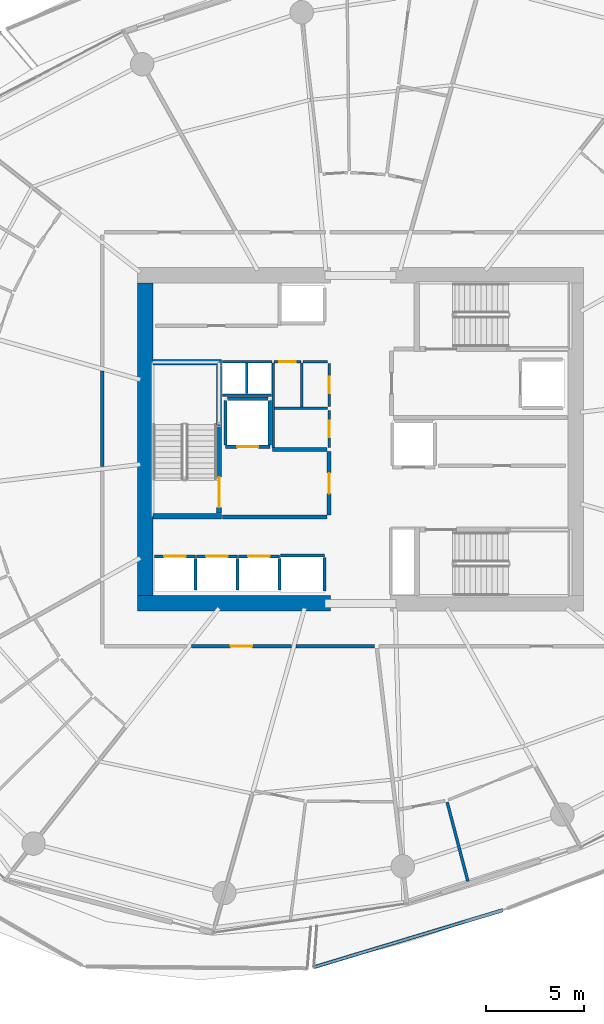
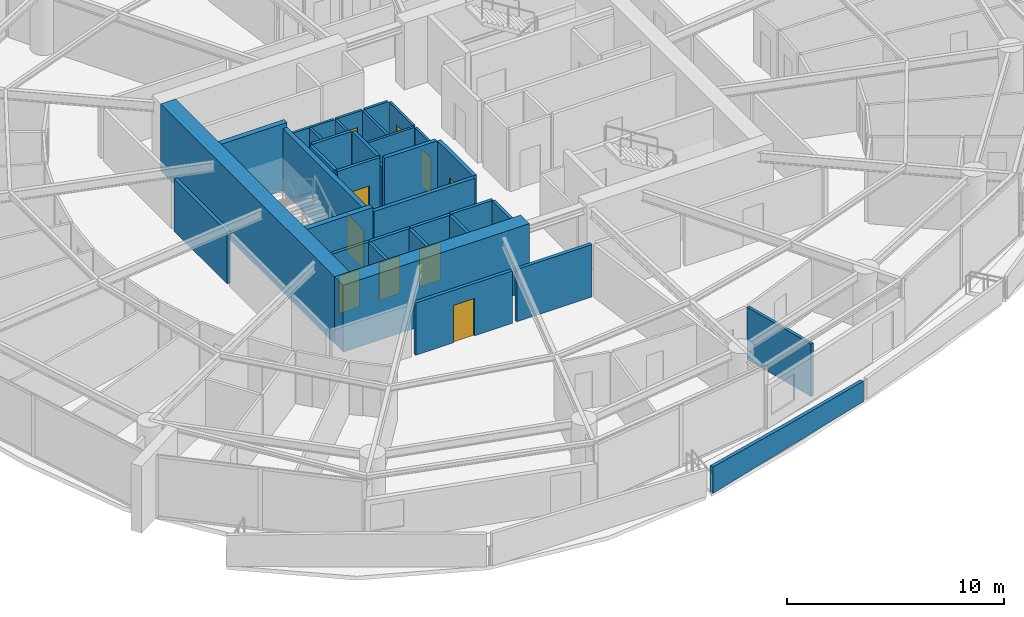
# One storey, part 12 of 23: 35 walls, 10 doors, 10 openings.
"""IFC4 building model written with IfcOpenShell, lengths in metres."""

from ifc_helpers import new_model, si_unit, direction, frame, frame_2d, origin, place, context, subcontext, project, spatial, polyline, rectangle, outline, extrude, material, layer, layer_set, type_object, element, fill, save


model = new_model("IFC4")

# Units and contexts
model_context = context("Model", 3, precision=1e-05, world=origin(), true_north=direction((0.0, 1.0)))
body_context = subcontext(model_context, "Body", "Model", "MODEL_VIEW")
ifc_project = project(units=[si_unit("LENGTHUNIT", "METRE"), si_unit("AREAUNIT", "SQUARE_METRE"), si_unit("VOLUMEUNIT", "CUBIC_METRE"), si_unit("PLANEANGLEUNIT", "RADIAN"), si_unit("MASSUNIT", "GRAM", prefix="KILO")], contexts=[model_context])

# Site, building, storey
site_placement = place(None, origin())
site = spatial("IfcSite", under=ifc_project, at=site_placement, CompositionType="ELEMENT")
building_placement = place(site_placement, origin())
building = spatial("IfcBuilding", under=site, at=building_placement, Name="Kazma Halo Residences", CompositionType="ELEMENT")
storey_placement = place(building_placement, frame((0.0, 0.0, 86.39990234375)))
storey = spatial("IfcBuildingStorey", under=building, at=storey_placement, Name="L21", CompositionType="ELEMENT", Elevation=86.39990234375)

# Walls
ifc_material_1 = material(Name="White Concrete C50/60 Balustrade", Category="concrete")
ifc_layer_1 = layer(ifc_material_1, 0.179931640625)
ifc_layer_set_1 = layer_set([ifc_layer_1], Name="White Concrete C50/60 Balustrade")
wall_type_1 = type_object("IfcWallType", Name="WL-BAL-WAVE-180", PredefinedType="PARAPET", material=ifc_layer_set_1)
wall_1_placement = place(storey_placement, frame((46.038330078125, 14.964111328125, 0.0), z_axis=(0.0, 0.0, 1.0), x_axis=(0.957356090971, 0.288910565886, 0.0)))
element("IfcWall", 1, at=wall_1_placement, inside=storey, type_object=wall_type_1, Name="L21 white wave balustrade wall SSE.1", PredefinedType="PARAPET", context=body_context, shape_type="SweptSolid", body=[
    extrude(outline(polyline([(0.0, 0.0), (10.1025390625, 0.0), (10.1025390625, 1.148193359375), (5.05126953125, 1.2841796875), (0.0, 1.483154296875), (0.0, 0.0)])), frame((0.0, 0.08984375, 0.0), z_axis=(0.0, -1.0, 0.0), x_axis=(1.0, 0.0, 0.0)), (0.0, 0.0, 1.0), 0.179931640625),
])
ifc_material_2 = material(Name="Concrete C80/95", Category="concrete")
ifc_layer_2 = layer(ifc_material_2, 0.800048828125)
ifc_layer_set_2 = layer_set([ifc_layer_2], Name="Concrete C80/95")
wall_type_2 = type_object("IfcWallType", Name="WL-CORE-800", PredefinedType="SHEAR", material=ifc_layer_set_2)
wall_2_placement = place(storey_placement, frame((37.0, 33.60009765625, 0.0), z_axis=(0.0, 0.0, 1.0), x_axis=(1.0, 0.0, 0.0)))
element("IfcWall", 2, at=wall_2_placement, inside=storey, type_object=wall_type_2, Name="L21 central core shear wall SW", PredefinedType="SHEAR", context=body_context, shape_type="SweptSolid", body=[
    extrude(rectangle(XDim=9.89990234375, YDim=0.800048828125, at=frame_2d((4.949951171875, 0.0))), origin(), (0.0, 0.0, 1.0), 3.75),
])
wall_3_placement = place(storey_placement, frame((37.39990234375, 34.0, 0.0), z_axis=(0.0, 0.0, 1.0), x_axis=(0.0, 1.0, 0.0)))
element("IfcWall", 3, at=wall_3_placement, inside=storey, type_object=wall_type_2, Name="L21 central core shear wall W", PredefinedType="SHEAR", context=body_context, shape_type="SweptSolid", body=[
    extrude(rectangle(XDim=16.0, YDim=0.800048828125, at=frame_2d((8.0, 0.0))), origin(), (0.0, 0.0, 1.0), 3.75),
])
ifc_material_3 = material(Name="Concrete C60/75", Category="concrete")
ifc_layer_3 = layer(ifc_material_3, 0.280029296875)
ifc_layer_set_3 = layer_set([ifc_layer_3], Name="Concrete C60/75")
wall_type_3 = type_object("IfcWallType", Name="WL-CORE-ST-280", PredefinedType="SHEAR", material=ifc_layer_set_3)
for number, where, z_axis, x_axis, name in (
    (4, (37.800048828125, 38.06005859375, 0.0), (0.0, 0.0, 1.0), (1.0, 0.0, 0.0), "L21 stairwell bearing wall ST01-S"),
    (5, (37.800048828125, 45.93994140625, 0.0), (0.0, 0.0, 1.0), (1.0, 0.0, 0.0), "L21 stairwell bearing wall ST01-N"),
):
    element("IfcWall", number, at=place(storey_placement, frame(where, z_axis=z_axis, x_axis=x_axis)), inside=storey, type_object=wall_type_3, Name=name, PredefinedType="SHEAR", context=body_context, shape_type="SweptSolid", body=[
        extrude(rectangle(XDim=3.5, YDim=0.280029296875, at=frame_2d((1.75, 0.0))), origin(), (0.0, 0.0, 1.0), 3.75),
    ])
ifc_material_4 = material(Name="Acoustic Twin-Stud Gypsum")
ifc_layer_4 = layer(ifc_material_4, 0.179931640625)
ifc_layer_set_4 = layer_set([ifc_layer_4], Name="Acoustic Twin-Stud Gypsum")
wall_type_4 = type_object("IfcWallType", Name="WL-DEM-180", PredefinedType="PARTITIONING", material=ifc_layer_set_4)
wall_4_placement = place(storey_placement, frame((35.199951171875, 45.489990234375, 0.0), z_axis=(0.0, 0.0, 1.0), x_axis=(0.0, -1.0, 0.0)))
element("IfcWall", 6, at=wall_4_placement, inside=storey, type_object=wall_type_4, Name="L21 Apartment 1 inner wall 6", PredefinedType="PARTITIONING", context=body_context, shape_type="SweptSolid", body=[
    extrude(rectangle(XDim=4.885009765625, YDim=0.179931640625, at=frame_2d((2.4423828125, 0.0))), origin(), (0.0, 0.0, 1.0), 2.940185546875),
])

# Wall, opening, door
wall_5_placement = place(storey_placement, frame((39.763671875, 31.39990234375, 0.0), z_axis=(0.0, 0.0, 1.0), x_axis=(1.0, 0.0, 0.0)))
wall_5 = element("IfcWall", 7, at=wall_5_placement, inside=storey, type_object=wall_type_4, Name="L21 Apartment 2 entrance corridor wall", PredefinedType="PARTITIONING", context=body_context, shape_type="SweptSolid", body=[
    extrude(rectangle(XDim=5.126708984375, YDim=0.179931640625, at=frame_2d((2.5634765625, 0.0))), origin(), (0.0, 0.0, 1.0), 2.940185546875),
])
opening_1_placement = place(wall_5_placement, frame((2.013427734375, 0.0, 0.0)))
opening_1 = element("IfcOpeningElement", 8, at=opening_1_placement, cuts=wall_5, Name="Opening DA-1100", PredefinedType="OPENING", context=body_context, shape_type="SweptSolid", body=[
    extrude(rectangle(XDim=1.10009765625, YDim=2.10009765625, at=frame_2d((0.550048828125, 1.050048828125))), frame((0.0, 0.099853515625, 0.0), z_axis=(0.0, -1.0, 0.0), x_axis=(1.0, 0.0, 0.0)), (0.0, 0.0, 1.0), 0.199951171875),
])
ifc_material_5 = material(Name="Acoustic Walnut Fire Leaf")
door_type_1 = type_object("IfcDoorType", Name="DR-FD60-1100", OperationType="NOTDEFINED", PredefinedType="DOOR", material=ifc_material_5)
door_1_placement = place(opening_1_placement, origin())
door_1 = element("IfcDoor", 9, at=door_1_placement, inside=storey, type_object=door_type_1, Name="L21 Apartment 2 entrance fire door", OperationType="SINGLE_SWING_RIGHT", OverallHeight=2.10009765625, OverallWidth=1.10009765625, PredefinedType="DOOR", context=body_context, shape_type="SweptSolid", body=[
    extrude(rectangle(XDim=1.10009765625, YDim=2.10009765625, at=frame_2d((0.550048828125, 1.050048828125))), frame((0.0, 0.02490234375, 0.0), z_axis=(0.0, -1.0, 0.0), x_axis=(1.0, 0.0, 0.0)), (0.0, 0.0, 1.0), 0.050048828125),
])
fill(opening_1, door_1)

# Wall
wall_6_placement = place(storey_placement, frame((45.130615234375, 31.39990234375, 0.0), z_axis=(0.0, 0.0, 1.0), x_axis=(1.0, 0.0, 0.0)))
element("IfcWall", 10, at=wall_6_placement, inside=storey, type_object=wall_type_4, Name="L21 Apartment 2 inner wall 10", PredefinedType="PARTITIONING", context=body_context, shape_type="SweptSolid", body=[
    extrude(rectangle(XDim=4.00390625, YDim=0.179931640625, at=frame_2d((2.001953125, 0.0))), origin(), (0.0, 0.0, 1.0), 2.940185546875),
])

# Wall, opening, door
ifc_material_6 = material(Name="Fire-Rated Blockwork Masonry", Category="masonry")
ifc_layer_5 = layer(ifc_material_6, 0.199951171875)
ifc_layer_set_5 = layer_set([ifc_layer_5], Name="Fire-Rated Blockwork Masonry")
wall_type_5 = type_object("IfcWallType", Name="WL-FLB-200", PredefinedType="PARTITIONING", material=ifc_layer_set_5)
wall_7_placement = place(storey_placement, frame((37.864990234375, 36.0048828125, 0.0), z_axis=(0.0, 0.0, 1.0), x_axis=(1.0, 0.0, 0.0)))
wall_7 = element("IfcWall", 11, at=wall_7_placement, inside=storey, type_object=wall_type_5, Name="L21 lift shaft PL-01 front wall", PredefinedType="PARTITIONING", context=body_context, shape_type="SweptSolid", body=[
    extrude(rectangle(XDim=2.110107421875, YDim=0.159912109375, at=frame_2d((1.05517578125, 0.0))), origin(), (0.0, 0.0, 1.0), 3.5),
])
opening_2_placement = place(wall_7_placement, frame((0.5048828125, 0.0, 0.0)))
opening_2 = element("IfcOpeningElement", 12, at=opening_2_placement, cuts=wall_7, Name="Opening LD-PL-01", PredefinedType="OPENING", context=body_context, shape_type="SweptSolid", body=[
    extrude(rectangle(XDim=1.10009765625, YDim=2.10009765625, at=frame_2d((0.550048828125, 1.050048828125))), frame((0.0, 0.08984375, 0.0), z_axis=(0.0, -1.0, 0.0), x_axis=(1.0, 0.0, 0.0)), (0.0, 0.0, 1.0), 0.179931640625),
])
ifc_material_7 = material(Name="Stainless Steel Fire-Rated", Category="steel")
door_type_2 = type_object("IfcDoorType", Name="DR-LIFT-SLD-1100", OperationType="DOUBLE_DOOR_SLIDING", PredefinedType="DOOR", material=ifc_material_7)
door_2_placement = place(opening_2_placement, origin())
door_2 = element("IfcDoor", 13, at=door_2_placement, inside=storey, type_object=door_type_2, Name="L21 lift PL-01 sliding landing door", OperationType="DOUBLE_DOOR_SLIDING", OverallHeight=2.10009765625, OverallWidth=1.10009765625, PredefinedType="DOOR", context=body_context, shape_type="SweptSolid", body=[
    extrude(rectangle(XDim=1.10009765625, YDim=2.10009765625, at=frame_2d((0.550048828125, 1.050048828125))), frame((0.0, 0.02490234375, 0.0), z_axis=(0.0, -1.0, 0.0), x_axis=(1.0, 0.0, 0.0)), (0.0, 0.0, 1.0), 0.050048828125),
])
fill(opening_2, door_2)

# Wall
wall_8_placement = place(storey_placement, frame((39.97509765625, 34.294921875, 0.0), z_axis=(0.0, 0.0, 1.0), x_axis=(0.0, 1.0, 0.0)))
element("IfcWall", 14, at=wall_8_placement, inside=storey, type_object=wall_type_5, Name="L21 lift shaft PL-01 side wall E", PredefinedType="PARTITIONING", context=body_context, shape_type="SweptSolid", body=[
    extrude(rectangle(XDim=1.610107421875, YDim=0.159912109375, at=frame_2d((0.80517578125, 0.0))), origin(), (0.0, 0.0, 1.0), 3.5),
])

# Wall, opening, door
wall_9_placement = place(storey_placement, frame((40.014892578125, 36.0048828125, 0.0), z_axis=(0.0, 0.0, 1.0), x_axis=(1.0, 0.0, 0.0)))
wall_9 = element("IfcWall", 15, at=wall_9_placement, inside=storey, type_object=wall_type_5, Name="L21 lift shaft PL-02 front wall", PredefinedType="PARTITIONING", context=body_context, shape_type="SweptSolid", body=[
    extrude(rectangle(XDim=2.110107421875, YDim=0.159912109375, at=frame_2d((1.05517578125, 0.0))), origin(), (0.0, 0.0, 1.0), 3.5),
])
opening_3_placement = place(wall_9_placement, frame((0.5048828125, 0.0, 0.0)))
opening_3 = element("IfcOpeningElement", 16, at=opening_3_placement, cuts=wall_9, Name="Opening LD-PL-02", PredefinedType="OPENING", context=body_context, shape_type="SweptSolid", body=[
    extrude(rectangle(XDim=1.10009765625, YDim=2.10009765625, at=frame_2d((0.550048828125, 1.050048828125))), frame((0.0, 0.08984375, 0.0), z_axis=(0.0, -1.0, 0.0), x_axis=(1.0, 0.0, 0.0)), (0.0, 0.0, 1.0), 0.179931640625),
])
door_3_placement = place(opening_3_placement, origin())
door_3 = element("IfcDoor", 17, at=door_3_placement, inside=storey, type_object=door_type_2, Name="L21 lift PL-02 sliding landing door", OperationType="DOUBLE_DOOR_SLIDING", OverallHeight=2.10009765625, OverallWidth=1.10009765625, PredefinedType="DOOR", context=body_context, shape_type="SweptSolid", body=[
    extrude(rectangle(XDim=1.10009765625, YDim=2.10009765625, at=frame_2d((0.550048828125, 1.050048828125))), frame((0.0, 0.02490234375, 0.0), z_axis=(0.0, -1.0, 0.0), x_axis=(1.0, 0.0, 0.0)), (0.0, 0.0, 1.0), 0.050048828125),
])
fill(opening_3, door_3)

# Wall
wall_10_placement = place(storey_placement, frame((42.125, 34.294921875, 0.0), z_axis=(0.0, 0.0, 1.0), x_axis=(0.0, 1.0, 0.0)))
element("IfcWall", 18, at=wall_10_placement, inside=storey, type_object=wall_type_5, Name="L21 lift shaft PL-02 side wall E", PredefinedType="PARTITIONING", context=body_context, shape_type="SweptSolid", body=[
    extrude(rectangle(XDim=1.610107421875, YDim=0.159912109375, at=frame_2d((0.80517578125, 0.0))), origin(), (0.0, 0.0, 1.0), 3.5),
])

# Wall, opening, door
wall_11_placement = place(storey_placement, frame((42.1650390625, 36.0048828125, 0.0), z_axis=(0.0, 0.0, 1.0), x_axis=(1.0, 0.0, 0.0)))
wall_11 = element("IfcWall", 19, at=wall_11_placement, inside=storey, type_object=wall_type_5, Name="L21 lift shaft PL-03 front wall", PredefinedType="PARTITIONING", context=body_context, shape_type="SweptSolid", body=[
    extrude(rectangle(XDim=2.10986328125, YDim=0.159912109375, at=frame_2d((1.054931640625, 0.0))), origin(), (0.0, 0.0, 1.0), 3.5),
])
opening_4_placement = place(wall_11_placement, frame((0.5048828125, 0.0, 0.0)))
opening_4 = element("IfcOpeningElement", 20, at=opening_4_placement, cuts=wall_11, Name="Opening LD-PL-03", PredefinedType="OPENING", context=body_context, shape_type="SweptSolid", body=[
    extrude(rectangle(XDim=1.10009765625, YDim=2.10009765625, at=frame_2d((0.550048828125, 1.050048828125))), frame((0.0, 0.08984375, 0.0), z_axis=(0.0, -1.0, 0.0), x_axis=(1.0, 0.0, 0.0)), (0.0, 0.0, 1.0), 0.179931640625),
])
door_4_placement = place(opening_4_placement, origin())
door_4 = element("IfcDoor", 21, at=door_4_placement, inside=storey, type_object=door_type_2, Name="L21 lift PL-03 sliding landing door", OperationType="DOUBLE_DOOR_SLIDING", OverallHeight=2.10009765625, OverallWidth=1.10009765625, PredefinedType="DOOR", context=body_context, shape_type="SweptSolid", body=[
    extrude(rectangle(XDim=1.10009765625, YDim=2.10009765625, at=frame_2d((0.550048828125, 1.050048828125))), frame((0.0, 0.02490234375, 0.0), z_axis=(0.0, -1.0, 0.0), x_axis=(1.0, 0.0, 0.0)), (0.0, 0.0, 1.0), 0.050048828125),
])
fill(opening_4, door_4)

# Walls
wall_12_placement = place(storey_placement, frame((44.27490234375, 34.294921875, 0.0), z_axis=(0.0, 0.0, 1.0), x_axis=(0.0, 1.0, 0.0)))
element("IfcWall", 22, at=wall_12_placement, inside=storey, type_object=wall_type_5, Name="L21 lift shaft PL-03 side wall E", PredefinedType="PARTITIONING", context=body_context, shape_type="SweptSolid", body=[
    extrude(rectangle(XDim=1.610107421875, YDim=0.159912109375, at=frame_2d((0.80517578125, 0.0))), origin(), (0.0, 0.0, 1.0), 3.5),
])
wall_13_placement = place(storey_placement, frame((44.320068359375, 36.054931640625, 0.0), z_axis=(0.0, 0.0, 1.0), x_axis=(1.0, 0.0, 0.0)))
element("IfcWall", 23, at=wall_13_placement, inside=storey, type_object=wall_type_5, Name="L21 lift shaft PX-02 front wall", PredefinedType="PARTITIONING", context=body_context, shape_type="SweptSolid", body=[
    extrude(rectangle(XDim=2.260009765625, YDim=0.159912109375, at=frame_2d((1.1298828125, 0.0))), origin(), (0.0, 0.0, 1.0), 3.5),
])
wall_14_placement = place(storey_placement, frame((46.580078125, 34.2451171875, 0.0), z_axis=(0.0, 0.0, 1.0), x_axis=(0.0, 1.0, 0.0)))
element("IfcWall", 24, at=wall_14_placement, inside=storey, type_object=wall_type_5, Name="L21 lift shaft PX-02 side wall E", PredefinedType="PARTITIONING", context=body_context, shape_type="SweptSolid", body=[
    extrude(rectangle(XDim=1.7099609375, YDim=0.159912109375, at=frame_2d((0.85498046875, 0.0))), origin(), (0.0, 0.0, 1.0), 3.5),
])

# Wall, opening, door
wall_15_placement = place(storey_placement, frame((43.780029296875, 41.6201171875, 0.0), z_axis=(0.0, 0.0, 1.0), x_axis=(-1.0, 0.0, 0.0)))
wall_15 = element("IfcWall", 25, at=wall_15_placement, inside=storey, type_object=wall_type_5, Name="L21 lift shaft FL-01 front wall", PredefinedType="PARTITIONING", context=body_context, shape_type="SweptSolid", body=[
    extrude(rectangle(XDim=2.260009765625, YDim=0.159912109375, at=frame_2d((1.1298828125, 0.0))), origin(), (0.0, 0.0, 1.0), 3.5),
])
opening_5_placement = place(wall_15_placement, frame((0.580078125, 0.0, 0.0)))
opening_5 = element("IfcOpeningElement", 26, at=opening_5_placement, cuts=wall_15, Name="Opening LD-FL-01", PredefinedType="OPENING", context=body_context, shape_type="SweptSolid", body=[
    extrude(rectangle(XDim=1.10009765625, YDim=2.10009765625, at=frame_2d((0.550048828125, 1.050048828125))), frame((0.0, 0.08984375, 0.0), z_axis=(0.0, -1.0, 0.0), x_axis=(1.0, 0.0, 0.0)), (0.0, 0.0, 1.0), 0.179931640625),
])
door_5_placement = place(opening_5_placement, origin())
door_5 = element("IfcDoor", 27, at=door_5_placement, inside=storey, type_object=door_type_2, Name="L21 lift FL-01 sliding landing door", OperationType="DOUBLE_DOOR_SLIDING", OverallHeight=2.10009765625, OverallWidth=1.10009765625, PredefinedType="DOOR", context=body_context, shape_type="SweptSolid", body=[
    extrude(rectangle(XDim=1.10009765625, YDim=2.10009765625, at=frame_2d((0.550048828125, 1.050048828125))), frame((0.0, 0.02490234375, 0.0), z_axis=(0.0, -1.0, 0.0), x_axis=(1.0, 0.0, 0.0)), (0.0, 0.0, 1.0), 0.050048828125),
])
fill(opening_5, door_5)

# Walls
for number, where, z_axis, x_axis, name in (
    (28, (43.780029296875, 41.719970703125, 0.0), (0.0, 0.0, 1.0), (0.0, 1.0, 0.0), "L21 lift shaft FL-01 side wall E"),
    (29, (41.52001953125, 41.719970703125, 0.0), (0.0, 0.0, 1.0), (0.0, 1.0, 0.0), "L21 lift shaft FL-01 side wall W"),
):
    element("IfcWall", number, at=place(storey_placement, frame(where, z_axis=z_axis, x_axis=x_axis)), inside=storey, type_object=wall_type_5, Name=name, PredefinedType="PARTITIONING", context=body_context, shape_type="SweptSolid", body=[
        extrude(rectangle(XDim=2.260009765625, YDim=0.159912109375, at=frame_2d((1.1298828125, 0.0))), origin(), (0.0, 0.0, 1.0), 3.5),
    ])
wall_16_placement = place(storey_placement, frame((41.6201171875, 44.080078125, 0.0), z_axis=(0.0, 0.0, 1.0), x_axis=(1.0, 0.0, 0.0)))
element("IfcWall", 30, at=wall_16_placement, inside=storey, type_object=wall_type_5, Name="L21 lift shaft FL-01 side wall N", PredefinedType="PARTITIONING", context=body_context, shape_type="SweptSolid", body=[
    extrude(rectangle(XDim=2.059814453125, YDim=0.159912109375, at=frame_2d((1.02978515625, 0.0))), origin(), (0.0, 0.0, 1.0), 3.5),
])
wall_17_placement = place(storey_placement, frame((41.35009765625, 38.02001953125, 0.0), z_axis=(0.0, 0.0, 1.0), x_axis=(1.0, 0.0, 0.0)))
element("IfcWall", 31, at=wall_17_placement, inside=storey, type_object=wall_type_5, Name="L21 west firefighting lobby south smoke wall", PredefinedType="PARTITIONING", context=body_context, shape_type="SweptSolid", body=[
    extrude(rectangle(XDim=5.369873046875, YDim=0.199951171875, at=frame_2d((2.68505859375, 0.0))), origin(), (0.0, 0.0, 1.0), 3.5),
])
wall_18_placement = place(storey_placement, frame((43.919921875, 41.47998046875, 0.0), z_axis=(0.0, 0.0, 1.0), x_axis=(1.0, 0.0, 0.0)))
element("IfcWall", 32, at=wall_18_placement, inside=storey, type_object=wall_type_5, Name="L21 west firefighting lobby north smoke wall", PredefinedType="PARTITIONING", context=body_context, shape_type="SweptSolid", body=[
    extrude(rectangle(XDim=2.800048828125, YDim=0.199951171875, at=frame_2d((1.39990234375, 0.0))), origin(), (0.0, 0.0, 1.0), 3.5),
])

# Wall, opening, door
wall_19_placement = place(storey_placement, frame((46.820068359375, 38.1201171875, 0.0), z_axis=(0.0, 0.0, 1.0), x_axis=(0.0, 1.0, 0.0)))
wall_19 = element("IfcWall", 33, at=wall_19_placement, inside=storey, type_object=wall_type_5, Name="L21 west firefighting lobby smoke wall", PredefinedType="PARTITIONING", context=body_context, shape_type="SweptSolid", body=[
    extrude(rectangle(XDim=3.259765625, YDim=0.199951171875, at=frame_2d((1.6298828125, 0.0))), origin(), (0.0, 0.0, 1.0), 3.5),
])
opening_6_placement = place(wall_19_placement, frame((1.10498046875, 0.0, 0.0)))
opening_6 = element("IfcOpeningElement", 34, at=opening_6_placement, cuts=wall_19, Name="Opening D-FLW", PredefinedType="OPENING", context=body_context, shape_type="SweptSolid", body=[
    extrude(rectangle(XDim=1.050048828125, YDim=2.10009765625, at=frame_2d((0.52490234375, 1.050048828125))), frame((0.0, 0.10986328125, 0.0), z_axis=(0.0, -1.0, 0.0), x_axis=(1.0, 0.0, 0.0)), (0.0, 0.0, 1.0), 0.219970703125),
])
ifc_material_8 = material(Name="Fire-Rated Steel Leaf", Category="steel")
door_type_3 = type_object("IfcDoorType", Name="DR-FD90-1050", OperationType="NOTDEFINED", PredefinedType="DOOR", material=ifc_material_8)
door_6_placement = place(opening_6_placement, origin())
door_6 = element("IfcDoor", 35, at=door_6_placement, inside=storey, type_object=door_type_3, Name="L21 west firefighting lobby smoke door", OperationType="SINGLE_SWING_RIGHT", OverallHeight=2.10009765625, OverallWidth=1.050048828125, PredefinedType="DOOR", context=body_context, shape_type="SweptSolid", body=[
    extrude(rectangle(XDim=1.050048828125, YDim=2.10009765625, at=frame_2d((0.52490234375, 1.050048828125))), frame((0.0, 0.02490234375, 0.0), z_axis=(0.0, -1.0, 0.0), x_axis=(1.0, 0.0, 0.0)), (0.0, 0.0, 1.0), 0.050048828125),
])
fill(opening_6, door_6)

# Walls
ifc_material_9 = material(Name="Gypsum Plasterboard Partition")
ifc_layer_6 = layer(ifc_material_9, 0.125)
ifc_layer_set_6 = layer_set([ifc_layer_6], Name="Gypsum Plasterboard Partition")
wall_type_6 = type_object("IfcWallType", Name="WL-PART-125", PredefinedType="PARTITIONING", material=ifc_layer_set_6)
wall_20_placement = place(storey_placement, frame((41.360107421875, 44.260009765625, 0.0), z_axis=(0.0, 0.0, 1.0), x_axis=(1.0, 0.0, 0.0)))
element("IfcWall", 36, at=wall_20_placement, inside=storey, type_object=wall_type_6, Name="L21 core riser south wall", PredefinedType="PARTITIONING", context=body_context, shape_type="SweptSolid", body=[
    extrude(rectangle(XDim=2.5, YDim=0.125, at=frame_2d((1.25, 0.0))), origin(), (0.0, 0.0, 1.0), 2.940185546875),
])
wall_21_placement = place(storey_placement, frame((42.60009765625, 44.35009765625, 0.0), z_axis=(0.0, 0.0, 1.0), x_axis=(0.0, 1.0, 0.0)))
element("IfcWall", 37, at=wall_21_placement, inside=storey, type_object=wall_type_6, Name="L21 core riser divider wall", PredefinedType="PARTITIONING", context=body_context, shape_type="SweptSolid", body=[
    extrude(rectangle(XDim=1.5498046875, YDim=0.125, at=frame_2d((0.77490234375, 0.0))), origin(), (0.0, 0.0, 1.0), 2.940185546875),
])
wall_22_placement = place(storey_placement, frame((43.949951171875, 41.580078125, 0.0), z_axis=(0.0, 0.0, 1.0), x_axis=(0.0, 1.0, 0.0)))
element("IfcWall", 38, at=wall_22_placement, inside=storey, type_object=wall_type_6, Name="L21 core service west wall", PredefinedType="PARTITIONING", context=body_context, shape_type="SweptSolid", body=[
    extrude(rectangle(XDim=4.31982421875, YDim=0.125, at=frame_2d((2.159912109375, 0.0))), origin(), (0.0, 0.0, 1.0), 2.940185546875),
])
wall_23_placement = place(storey_placement, frame((44.030029296875, 43.590087890625, 0.0), z_axis=(0.0, 0.0, 1.0), x_axis=(1.0, 0.0, 0.0)))
element("IfcWall", 39, at=wall_23_placement, inside=storey, type_object=wall_type_6, Name="L21 core service horiz divider", PredefinedType="PARTITIONING", context=body_context, shape_type="SweptSolid", body=[
    extrude(rectangle(XDim=2.7099609375, YDim=0.125, at=frame_2d((1.35498046875, 0.0))), origin(), (0.0, 0.0, 1.0), 2.940185546875),
])
wall_24_placement = place(storey_placement, frame((45.409912109375, 43.669921875, 0.0), z_axis=(0.0, 0.0, 1.0), x_axis=(0.0, 1.0, 0.0)))
element("IfcWall", 40, at=wall_24_placement, inside=storey, type_object=wall_type_6, Name="L21 core service vert divider", PredefinedType="PARTITIONING", context=body_context, shape_type="SweptSolid", body=[
    extrude(rectangle(XDim=2.22998046875, YDim=0.125, at=frame_2d((1.114990234375, 0.0))), origin(), (0.0, 0.0, 1.0), 2.940185546875),
])

# Wall, opening, door
wall_25_placement = place(storey_placement, frame((46.820068359375, 41.580078125, 0.0), z_axis=(0.0, 0.0, 1.0), x_axis=(0.0, 1.0, 0.0)))
wall_25 = element("IfcWall", 41, at=wall_25_placement, inside=storey, type_object=wall_type_6, Name="L21 refuse room east wall", PredefinedType="PARTITIONING", context=body_context, shape_type="SweptSolid", body=[
    extrude(rectangle(XDim=1.909912109375, YDim=0.125, at=frame_2d((0.955078125, 0.0))), origin(), (0.0, 0.0, 1.0), 2.940185546875),
])
opening_7_placement = place(wall_25_placement, frame((0.530029296875, 0.0, 0.0)))
opening_7 = element("IfcOpeningElement", 42, at=opening_7_placement, cuts=wall_25, Name="Opening DS-850", PredefinedType="OPENING", context=body_context, shape_type="SweptSolid", body=[
    extrude(rectangle(XDim=0.85009765625, YDim=2.06005859375, at=frame_2d((0.425048828125, 1.030029296875))), frame((0.0, 0.072509765625, 0.0), z_axis=(0.0, -1.0, 0.0), x_axis=(1.0, 0.0, 0.0)), (0.0, 0.0, 1.0), 0.14501953125),
])
ifc_material_10 = material(Name="Painted Steel Access Leaf", Category="steel")
door_type_4 = type_object("IfcDoorType", Name="DR-SVC-850", OperationType="NOTDEFINED", PredefinedType="DOOR", material=ifc_material_10)
door_7_placement = place(opening_7_placement, origin())
door_7 = element("IfcDoor", 43, at=door_7_placement, inside=storey, type_object=door_type_4, Name="L21 refuse room door", OperationType="SINGLE_SWING_RIGHT", OverallHeight=2.06005859375, OverallWidth=0.85009765625, PredefinedType="DOOR", context=body_context, shape_type="SweptSolid", body=[
    extrude(rectangle(XDim=0.85009765625, YDim=2.06005859375, at=frame_2d((0.425048828125, 1.030029296875))), frame((0.0, 0.02490234375, 0.0), z_axis=(0.0, -1.0, 0.0), x_axis=(1.0, 0.0, 0.0)), (0.0, 0.0, 1.0), 0.050048828125),
])
fill(opening_7, door_7)

wall_26_placement = place(storey_placement, frame((46.820068359375, 43.68994140625, 0.0), z_axis=(0.0, 0.0, 1.0), x_axis=(0.0, 1.0, 0.0)))
wall_26 = element("IfcWall", 44, at=wall_26_placement, inside=storey, type_object=wall_type_6, Name="L21 sub-metering east wall", PredefinedType="PARTITIONING", context=body_context, shape_type="SweptSolid", body=[
    extrude(rectangle(XDim=2.18994140625, YDim=0.125, at=frame_2d((1.094970703125, 0.0))), origin(), (0.0, 0.0, 1.0), 2.940185546875),
])
opening_8_placement = place(wall_26_placement, frame((0.669921875, 0.0, 0.0)))
opening_8 = element("IfcOpeningElement", 45, at=opening_8_placement, cuts=wall_26, Name="Opening DS-850", PredefinedType="OPENING", context=body_context, shape_type="SweptSolid", body=[
    extrude(rectangle(XDim=0.85009765625, YDim=2.06005859375, at=frame_2d((0.425048828125, 1.030029296875))), frame((0.0, 0.072509765625, 0.0), z_axis=(0.0, -1.0, 0.0), x_axis=(1.0, 0.0, 0.0)), (0.0, 0.0, 1.0), 0.14501953125),
])
door_8_placement = place(opening_8_placement, origin())
door_8 = element("IfcDoor", 46, at=door_8_placement, inside=storey, type_object=door_type_4, Name="L21 sub-metering door", OperationType="SINGLE_SWING_LEFT", OverallHeight=2.06005859375, OverallWidth=0.85009765625, PredefinedType="DOOR", context=body_context, shape_type="SweptSolid", body=[
    extrude(rectangle(XDim=0.85009765625, YDim=2.06005859375, at=frame_2d((0.425048828125, 1.030029296875))), frame((0.0, 0.02490234375, 0.0), z_axis=(0.0, -1.0, 0.0), x_axis=(1.0, 0.0, 0.0)), (0.0, 0.0, 1.0), 0.050048828125),
])
fill(opening_8, door_8)

# Wall
wall_27_placement = place(storey_placement, frame((41.35009765625, 45.97998046875, 0.0), z_axis=(0.0, 0.0, 1.0), x_axis=(1.0, 0.0, 0.0)))
element("IfcWall", 47, at=wall_27_placement, inside=storey, type_object=wall_type_6, Name="L21 core riser NW wall", PredefinedType="PARTITIONING", context=body_context, shape_type="SweptSolid", body=[
    extrude(rectangle(XDim=2.52978515625, YDim=0.125, at=frame_2d((1.264892578125, 0.0))), origin(), (0.0, 0.0, 1.0), 2.940185546875),
])

# Wall, opening, door
wall_28_placement = place(storey_placement, frame((43.989990234375, 45.97998046875, 0.0), z_axis=(0.0, 0.0, 1.0), x_axis=(1.0, 0.0, 0.0)))
wall_28 = element("IfcWall", 48, at=wall_28_placement, inside=storey, type_object=wall_type_6, Name="L21 cleaners cupboard north wall", PredefinedType="PARTITIONING", context=body_context, shape_type="SweptSolid", body=[
    extrude(rectangle(XDim=1.380126953125, YDim=0.125, at=frame_2d((0.68994140625, 0.0))), origin(), (0.0, 0.0, 1.0), 2.940185546875),
])
opening_9_placement = place(wall_28_placement, frame((0.264892578125, 0.0, 0.0)))
opening_9 = element("IfcOpeningElement", 49, at=opening_9_placement, cuts=wall_28, Name="Opening DS-850", PredefinedType="OPENING", context=body_context, shape_type="SweptSolid", body=[
    extrude(rectangle(XDim=0.85009765625, YDim=2.06005859375, at=frame_2d((0.425048828125, 1.030029296875))), frame((0.0, 0.072509765625, 0.0), z_axis=(0.0, -1.0, 0.0), x_axis=(1.0, 0.0, 0.0)), (0.0, 0.0, 1.0), 0.14501953125),
])
door_9_placement = place(opening_9_placement, origin())
door_9 = element("IfcDoor", 50, at=door_9_placement, inside=storey, type_object=door_type_4, Name="L21 cleaners cupboard door", OperationType="SINGLE_SWING_RIGHT", OverallHeight=2.06005859375, OverallWidth=0.85009765625, PredefinedType="DOOR", context=body_context, shape_type="SweptSolid", body=[
    extrude(rectangle(XDim=0.85009765625, YDim=2.06005859375, at=frame_2d((0.425048828125, 1.030029296875))), frame((0.0, 0.02490234375, 0.0), z_axis=(0.0, -1.0, 0.0), x_axis=(1.0, 0.0, 0.0)), (0.0, 0.0, 1.0), 0.050048828125),
])
fill(opening_9, door_9)

# Wall
wall_29_placement = place(storey_placement, frame((45.47998046875, 45.97998046875, 0.0), z_axis=(0.0, 0.0, 1.0), x_axis=(1.0, 0.0, 0.0)))
element("IfcWall", 51, at=wall_29_placement, inside=storey, type_object=wall_type_6, Name="L21 sub-metering north wall", PredefinedType="PARTITIONING", context=body_context, shape_type="SweptSolid", body=[
    extrude(rectangle(XDim=1.260009765625, YDim=0.125, at=frame_2d((0.6298828125, 0.0))), origin(), (0.0, 0.0, 1.0), 2.940185546875),
])

# Wall, opening, door
ifc_material_11 = material(Name="Concrete C50/60", Category="concrete")
ifc_layer_7 = layer(ifc_material_11, 0.25)
ifc_layer_set_7 = layer_set([ifc_layer_7], Name="Concrete C50/60")
wall_type_7 = type_object("IfcWallType", Name="WL-SHF-250", PredefinedType="SOLIDWALL", material=ifc_layer_set_7)
wall_30_placement = place(storey_placement, frame((41.179931640625, 38.219970703125, 0.0), z_axis=(0.0, 0.0, 1.0), x_axis=(0.0, 1.0, 0.0)))
wall_30 = element("IfcWall", 52, at=wall_30_placement, inside=storey, type_object=wall_type_7, Name="L21 exit stair ST-01 enclosure wall", PredefinedType="SOLIDWALL", context=body_context, shape_type="SweptSolid", body=[
    extrude(rectangle(XDim=7.56005859375, YDim=0.25, at=frame_2d((3.780029296875, 0.0))), origin(), (0.0, 0.0, 1.0), 3.5),
])
opening_10_placement = place(wall_30_placement, frame((0.300048828125, 0.0, 0.0)))
opening_10 = element("IfcOpeningElement", 53, at=opening_10_placement, cuts=wall_30, Name="Opening D-ST1", PredefinedType="OPENING", context=body_context, shape_type="SweptSolid", body=[
    extrude(rectangle(XDim=1.550048828125, YDim=2.14990234375, at=frame_2d((0.77490234375, 1.074951171875))), frame((0.0, 0.135009765625, 0.0), z_axis=(0.0, -1.0, 0.0), x_axis=(1.0, 0.0, 0.0)), (0.0, 0.0, 1.0), 0.27001953125),
])
ifc_material_12 = material(Name="Fire-Rated Double Steel Leaf", Category="steel")
door_type_5 = type_object("IfcDoorType", Name="DR-FD90-1550", OperationType="NOTDEFINED", PredefinedType="DOOR", material=ifc_material_12)
door_10_placement = place(opening_10_placement, origin())
door_10 = element("IfcDoor", 54, at=door_10_placement, inside=storey, type_object=door_type_5, Name="L21 exit stair ST-01 fire door", OperationType="DOUBLE_DOOR_SINGLE_SWING", OverallHeight=2.14990234375, OverallWidth=1.550048828125, PredefinedType="DOOR", context=body_context, shape_type="SweptSolid", body=[
    extrude(rectangle(XDim=1.550048828125, YDim=2.14990234375, at=frame_2d((0.77490234375, 1.074951171875))), frame((0.0, 0.02490234375, 0.0), z_axis=(0.0, -1.0, 0.0), x_axis=(1.0, 0.0, 0.0)), (0.0, 0.0, 1.0), 0.050048828125),
])
fill(opening_10, door_10)

# Wall
ifc_material_13 = material(Name="Moisture-Resistant Gypsum")
ifc_layer_8 = layer(ifc_material_13, 0.14990234375)
ifc_layer_set_8 = layer_set([ifc_layer_8], Name="Moisture-Resistant Gypsum")
wall_type_8 = type_object("IfcWallType", Name="WL-WET-150", PredefinedType="PARTITIONING", material=ifc_layer_set_8)
wall_31_placement = place(storey_placement, frame((52.865478515625, 23.414306640625, 0.0), z_axis=(0.0, 0.0, 1.0), x_axis=(0.253228265637, -0.96740655646, 0.0)))
element("IfcWall", 55, at=wall_31_placement, inside=storey, type_object=wall_type_8, Name="L21 Apartment 3 Guest Bathroom side wall", PredefinedType="PARTITIONING", context=body_context, shape_type="SweptSolid", body=[
    extrude(rectangle(XDim=4.18994140625, YDim=0.14990234375, at=frame_2d((2.094970703125, 0.0))), origin(), (0.0, 0.0, 1.0), 2.940185546875),
])

save(model, "model.ifc")
